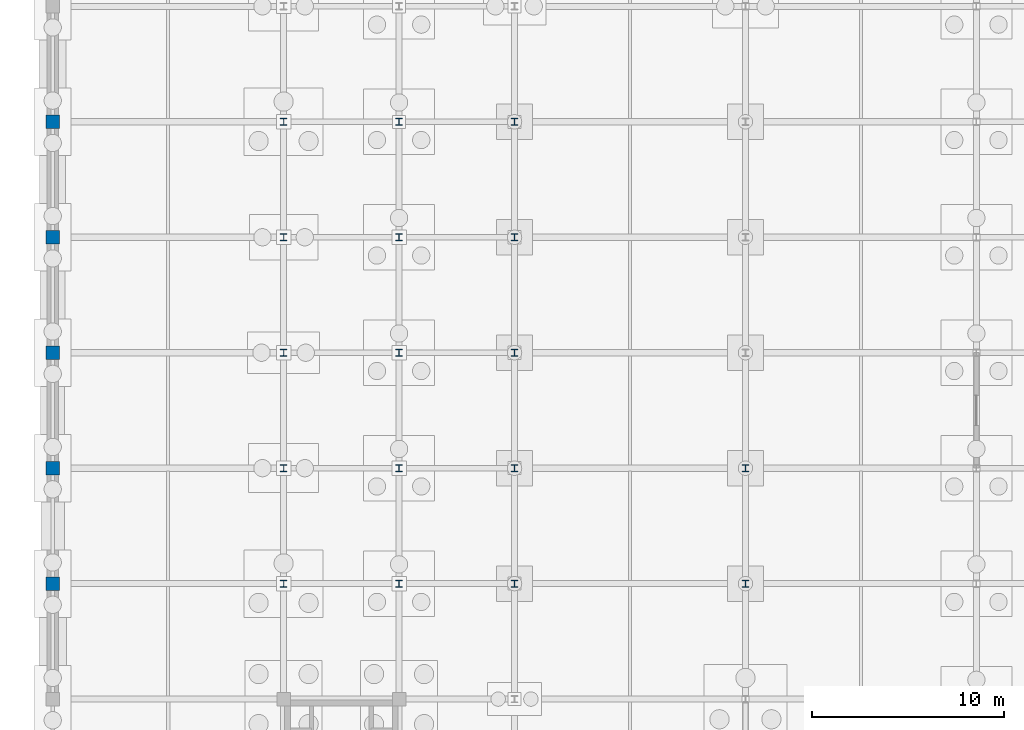
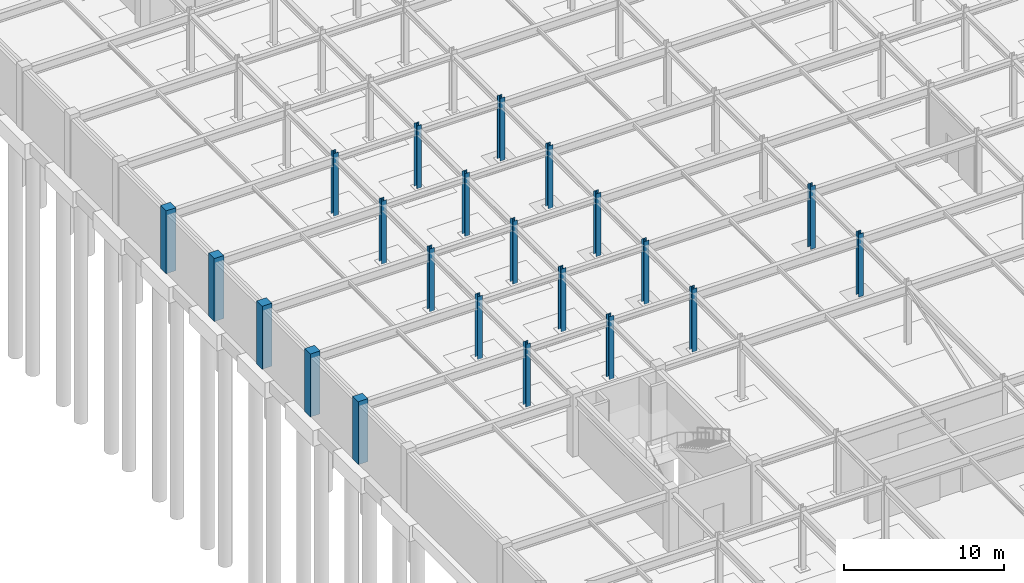
# One storey, part 14 of 69: 22 columns.
"""IFC4 building model written with IfcOpenShell, lengths in metres."""

from ifc_helpers import new_model, si_unit, direction, frame, origin, origin_2d, place, context, subcontext, project, spatial, rectangle, i_section, extrude, material, material_profile, profile_set, type_object, element, save


model = new_model("IFC4")

# Units and contexts
model_context = context("Model", 3, precision=1e-05, world=origin(), true_north=direction((0.0, 1.0)))
body_context = subcontext(model_context, "Body", "Model", "MODEL_VIEW")
ifc_project = project(units=[si_unit("LENGTHUNIT", "METRE"), si_unit("AREAUNIT", "SQUARE_METRE"), si_unit("VOLUMEUNIT", "CUBIC_METRE"), si_unit("PLANEANGLEUNIT", "RADIAN"), si_unit("MASSUNIT", "GRAM", prefix="KILO")], contexts=[model_context])

# Site, building, storey
site_placement = place(None, origin())
site = spatial("IfcSite", under=ifc_project, at=site_placement, CompositionType="ELEMENT")
building_placement = place(site_placement, origin())
building = spatial("IfcBuilding", under=site, at=building_placement, Name="Zlatovratsky Civic Hall", CompositionType="ELEMENT")
storey_placement = place(building_placement, frame((0.0, 0.0, -4.800048828125)))
storey = spatial("IfcBuildingStorey", under=building, at=storey_placement, Name="B1", CompositionType="ELEMENT", Elevation=-4.800048828125)

# Columns
ifc_material_1 = material(Name="Concrete C35/45 (B40)", Category="concrete")
ifc_material_profile_1 = material_profile(ifc_material_1, rectangle(XDim=0.699951171875, YDim=0.699951171875, at=origin_2d()), Name="RC 700x700")
ifc_profile_set_1 = profile_set([ifc_material_profile_1], Name="Concrete C35/45 (B40)")
column_type_1 = type_object("IfcColumnType", Name="Col_CorePier_RC700", PredefinedType="COLUMN", material=ifc_profile_set_1)
for number, where, z_axis, x_axis, name in (
    (1, (0.0, 36.0, 0.0), (0.0, 0.0, 1.0), (1.0, 0.0, 0.0), "CL-0095"),
    (2, (0.0, 42.0, 0.0), (0.0, 0.0, 1.0), (1.0, 0.0, 0.0), "CL-0118"),
    (3, (0.0, 48.0, 0.0), (0.0, 0.0, 1.0), (1.0, 0.0, 0.0), "CL-0141"),
    (4, (0.0, 54.0, 0.0), (0.0, 0.0, 1.0), (1.0, 0.0, 0.0), "CL-0164"),
    (5, (0.0, 60.0, 0.0), (0.0, 0.0, 1.0), (1.0, 0.0, 0.0), "CL-0187"),
):
    element("IfcColumn", number, at=place(storey_placement, frame(where, z_axis=z_axis, x_axis=x_axis)), inside=storey, type_object=column_type_1, Name=name, PredefinedType="COLUMN", context=body_context, shape_type="SweptSolid", body=[
        extrude(rectangle(XDim=0.699951171875, YDim=0.699951171875, at=origin_2d()), origin(), (0.0, 0.0, 1.0), 4.800048828125),
    ])
ifc_material_2 = material(Name="Steel S355", Category="steel")
ifc_material_profile_2 = material_profile(ifc_material_2, i_section(OverallWidth=0.35009765625, OverallDepth=0.35009765625, WebThickness=0.011962890625, FlangeThickness=0.01904296875, FilletRadius=0.02001953125, at=origin_2d()), Name="35K2")
ifc_profile_set_2 = profile_set([ifc_material_profile_2], Name="Steel S355")
column_type_2 = type_object("IfcColumnType", Name="Col_Steel_35K2", PredefinedType="COLUMN", material=ifc_profile_set_2)
for number, where, z_axis, x_axis, name in (
    (6, (12.0, 36.0, 0.0), (0.0, 0.0, 1.0), (1.0, 0.0, 0.0), "CL-0096"),
    (7, (18.0, 36.0, 0.0), (0.0, 0.0, 1.0), (1.0, 0.0, 0.0), "CL-0097"),
    (8, (24.0, 36.0, 0.0), (0.0, 0.0, 1.0), (1.0, 0.0, 0.0), "CL-0098"),
    (9, (36.0, 36.0, 0.0), (0.0, 0.0, 1.0), (1.0, 0.0, 0.0), "CL-0099"),
    (10, (12.0, 42.0, 0.0), (0.0, 0.0, 1.0), (1.0, 0.0, 0.0), "CL-0119"),
    (11, (18.0, 42.0, 0.0), (0.0, 0.0, 1.0), (1.0, 0.0, 0.0), "CL-0120"),
    (12, (24.0, 42.0, 0.0), (0.0, 0.0, 1.0), (1.0, 0.0, 0.0), "CL-0121"),
    (13, (36.0, 42.0, 0.0), (0.0, 0.0, 1.0), (1.0, 0.0, 0.0), "CL-0122"),
    (14, (12.0, 48.0, 0.0), (0.0, 0.0, 1.0), (1.0, 0.0, 0.0), "CL-0142"),
    (15, (18.0, 48.0, 0.0), (0.0, 0.0, 1.0), (1.0, 0.0, 0.0), "CL-0143"),
    (16, (24.0, 48.0, 0.0), (0.0, 0.0, 1.0), (1.0, 0.0, 0.0), "CL-0144"),
    (17, (12.0, 54.0, 0.0), (0.0, 0.0, 1.0), (1.0, 0.0, 0.0), "CL-0165"),
    (18, (18.0, 54.0, 0.0), (0.0, 0.0, 1.0), (1.0, 0.0, 0.0), "CL-0166"),
    (19, (24.0, 54.0, 0.0), (0.0, 0.0, 1.0), (1.0, 0.0, 0.0), "CL-0167"),
    (20, (12.0, 60.0, 0.0), (0.0, 0.0, 1.0), (1.0, 0.0, 0.0), "CL-0188"),
    (21, (18.0, 60.0, 0.0), (0.0, 0.0, 1.0), (1.0, 0.0, 0.0), "CL-0189"),
    (22, (24.0, 60.0, 0.0), (0.0, 0.0, 1.0), (1.0, 0.0, 0.0), "CL-0190"),
):
    element("IfcColumn", number, at=place(storey_placement, frame(where, z_axis=z_axis, x_axis=x_axis)), inside=storey, type_object=column_type_2, Name=name, PredefinedType="COLUMN", context=body_context, shape_type="SweptSolid", body=[
        extrude(i_section(OverallWidth=0.35009765625, OverallDepth=0.35009765625, WebThickness=0.011962890625, FlangeThickness=0.01904296875, FilletRadius=0.02001953125, at=origin_2d()), origin(), (0.0, 0.0, 1.0), 4.800048828125),
    ])

save(model, "model.ifc")
